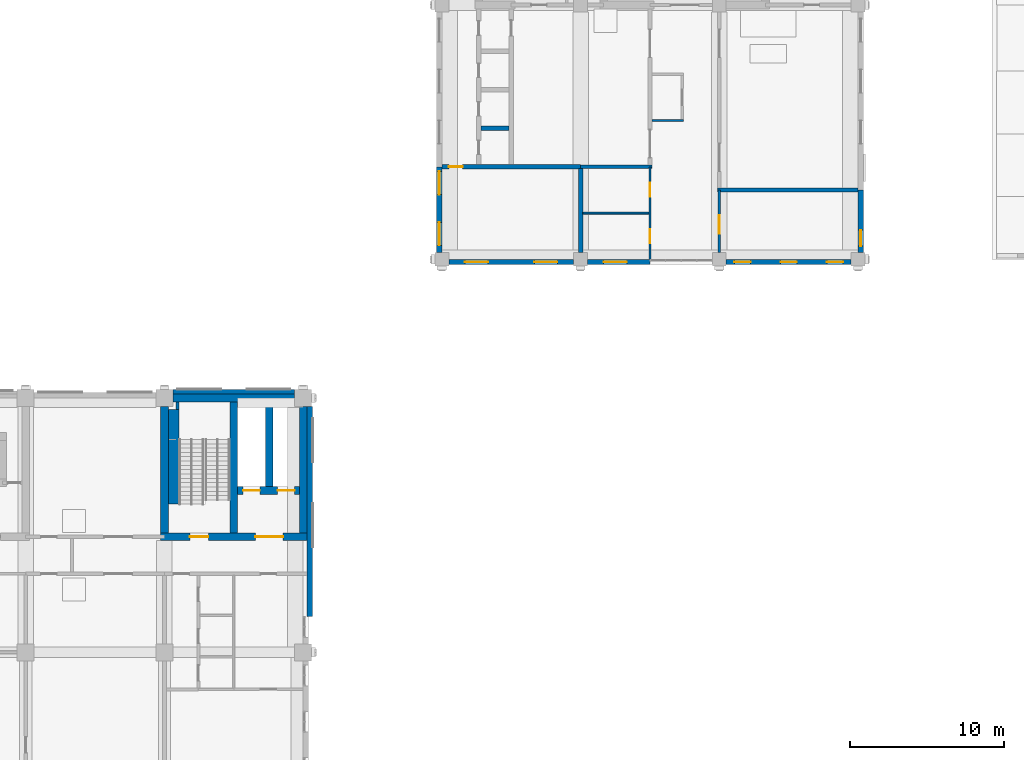
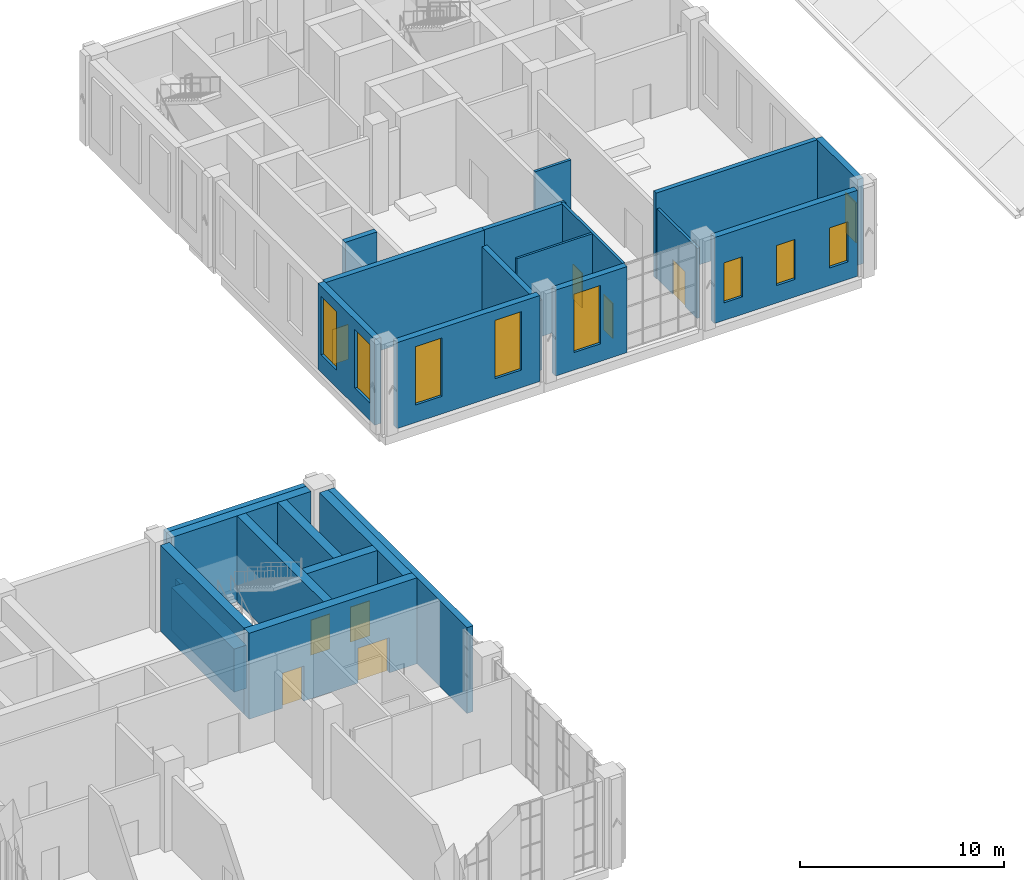
# One storey, part 15 of 25: 25 walls, 9 windows, 8 doors, 17 openings.
"""IFC4 building model written with IfcOpenShell, lengths in metres."""

from ifc_helpers import new_model, si_unit, direction, frame, frame_2d, origin, place, context, subcontext, project, spatial, rectangle, extrude, material, layer, layer_set, type_object, element, fill, save


model = new_model("IFC4")

# Units and contexts
model_context = context("Model", 3, precision=1e-05, world=origin(), true_north=direction((0.0, 1.0)))
body_context = subcontext(model_context, "Body", "Model", "MODEL_VIEW")
ifc_project = project(units=[si_unit("LENGTHUNIT", "METRE"), si_unit("AREAUNIT", "SQUARE_METRE"), si_unit("VOLUMEUNIT", "CUBIC_METRE"), si_unit("PLANEANGLEUNIT", "RADIAN"), si_unit("MASSUNIT", "GRAM", prefix="KILO")], contexts=[model_context])

# Site, building, storey
site_placement = place(None, origin())
site = spatial("IfcSite", under=ifc_project, at=site_placement, CompositionType="ELEMENT")
building_placement = place(site_placement, origin())
building = spatial("IfcBuilding", under=site, at=building_placement, Name="Aurelan Courthouse", CompositionType="ELEMENT")
storey_placement = place(building_placement, frame((0.0, 0.0, 33.60009765625)))
storey = spatial("IfcBuildingStorey", under=building, at=storey_placement, Name="L06", CompositionType="ELEMENT", Elevation=33.60009765625)

# Wall
ifc_material_1 = material(Name="Gypsum board on metal studs")
ifc_layer_1 = layer(ifc_material_1, 0.14990234375)
ifc_layer_set_1 = layer_set([ifc_layer_1], Name="Gypsum board on metal studs")
wall_type_1 = type_object("IfcWallType", Name="Corridor partition 150 EI 60", PredefinedType="PARTITIONING", material=ifc_layer_set_1)
wall_1_placement = place(storey_placement, frame((49.625, 46.5, 0.0), z_axis=(0.0, 0.0, 1.0), x_axis=(1.0, 0.0, 0.0)))
element("IfcWall", 1, at=wall_1_placement, inside=storey, type_object=wall_type_1, Name="Corridor partition L06-017", PredefinedType="PARTITIONING", context=body_context, shape_type="SweptSolid", body=[
    extrude(rectangle(XDim=2.050048828125, YDim=0.14990234375, at=frame_2d((1.02490234375, 0.0))), origin(), (0.0, 0.0, 1.0), 5.14990234375),
])

# Wall, openings, doors
wall_2_placement = place(storey_placement, frame((49.5, 37.5, 0.0), z_axis=(0.0, 0.0, 1.0), x_axis=(0.0, 1.0, 0.0)))
wall_2 = element("IfcWall", 2, at=wall_2_placement, inside=storey, type_object=wall_type_1, Name="Corridor partition L06-044", PredefinedType="PARTITIONING", context=body_context, shape_type="SweptSolid", body=[
    extrude(rectangle(XDim=6.0, YDim=0.14990234375, at=frame_2d((3.0, 0.0))), origin(), (0.0, 0.0, 1.0), 5.14990234375),
])
opening_1_placement = place(wall_2_placement, frame((1.050048828125, 0.0, 0.0)))
opening_1 = element("IfcOpeningElement", 3, at=opening_1_placement, cuts=wall_2, Name="Opening D-L06-022", PredefinedType="OPENING", context=body_context, shape_type="SweptSolid", body=[
    extrude(rectangle(XDim=0.89990234375, YDim=2.10009765625, at=frame_2d((0.449951171875, 1.050048828125))), frame((0.0, 0.0849609375, 0.0), z_axis=(0.0, -1.0, 0.0), x_axis=(1.0, 0.0, 0.0)), (0.0, 0.0, 1.0), 0.169921875),
])
opening_2_placement = place(wall_2_placement, frame((4.050048828125, 0.0, 0.0)))
opening_2 = element("IfcOpeningElement", 4, at=opening_2_placement, cuts=wall_2, Name="Opening D-L06-023", PredefinedType="OPENING", context=body_context, shape_type="SweptSolid", body=[
    extrude(rectangle(XDim=0.89990234375, YDim=2.10009765625, at=frame_2d((0.449951171875, 1.050048828125))), frame((0.0, 0.0849609375, 0.0), z_axis=(0.0, -1.0, 0.0), x_axis=(1.0, 0.0, 0.0)), (0.0, 0.0, 1.0), 0.169921875),
])
ifc_material_2 = material(Name="Steel", Category="steel")
door_type_1 = type_object("IfcDoorType", Name="Single door 900 x 2100 FD60", OperationType="SINGLE_SWING_LEFT", PredefinedType="DOOR", material=ifc_material_2)
door_1_placement = place(opening_1_placement, origin())
door_1 = element("IfcDoor", 5, at=door_1_placement, inside=storey, type_object=door_type_1, Name="Single door D-L06-022", OperationType="SINGLE_SWING_RIGHT", OverallHeight=2.10009765625, OverallWidth=0.89990234375, PredefinedType="DOOR", context=body_context, shape_type="SweptSolid", body=[
    extrude(rectangle(XDim=0.89990234375, YDim=2.10009765625, at=frame_2d((0.449951171875, 1.050048828125))), frame((0.0, 0.02490234375, 0.0), z_axis=(0.0, -1.0, 0.0), x_axis=(1.0, 0.0, 0.0)), (0.0, 0.0, 1.0), 0.050048828125),
])
fill(opening_1, door_1)
door_2_placement = place(opening_2_placement, origin())
door_2 = element("IfcDoor", 6, at=door_2_placement, inside=storey, type_object=door_type_1, Name="Single door D-L06-023", OperationType="SINGLE_SWING_RIGHT", OverallHeight=2.10009765625, OverallWidth=0.89990234375, PredefinedType="DOOR", context=body_context, shape_type="SweptSolid", body=[
    extrude(rectangle(XDim=0.89990234375, YDim=2.10009765625, at=frame_2d((0.449951171875, 1.050048828125))), frame((0.0, 0.02490234375, 0.0), z_axis=(0.0, -1.0, 0.0), x_axis=(1.0, 0.0, 0.0)), (0.0, 0.0, 1.0), 0.050048828125),
])
fill(opening_2, door_2)

# Wall, opening, door
wall_3_placement = place(storey_placement, frame((54.0, 37.949951171875, 0.0), z_axis=(0.0, 0.0, 1.0), x_axis=(0.0, 1.0, 0.0)))
wall_3 = element("IfcWall", 7, at=wall_3_placement, inside=storey, type_object=wall_type_1, Name="Corridor partition L06-047", PredefinedType="PARTITIONING", context=body_context, shape_type="SweptSolid", body=[
    extrude(rectangle(XDim=4.050048828125, YDim=0.14990234375, at=frame_2d((2.02490234375, 0.0))), origin(), (0.0, 0.0, 1.0), 4.199951171875),
])
opening_3_placement = place(wall_3_placement, frame((2.39990234375, 0.0, 0.0), z_axis=(0.0, 0.0, 1.0), x_axis=(-1.0, 0.0, 0.0)))
opening_3 = element("IfcOpeningElement", 8, at=opening_3_placement, cuts=wall_3, Name="Opening D-L06-024", PredefinedType="OPENING", context=body_context, shape_type="SweptSolid", body=[
    extrude(rectangle(XDim=1.199951171875, YDim=2.10009765625, at=frame_2d((0.60009765625, 1.050048828125))), frame((0.0, 0.0849609375, 0.0), z_axis=(0.0, -1.0, 0.0), x_axis=(1.0, 0.0, 0.0)), (0.0, 0.0, 1.0), 0.169921875),
])
door_type_2 = type_object("IfcDoorType", Name="Single door 1200 x 2100 FD60", OperationType="SINGLE_SWING_LEFT", PredefinedType="DOOR", material=ifc_material_2)
door_3_placement = place(opening_3_placement, origin())
door_3 = element("IfcDoor", 9, at=door_3_placement, inside=storey, type_object=door_type_2, Name="Single door D-L06-024", OperationType="SINGLE_SWING_LEFT", OverallHeight=2.10009765625, OverallWidth=1.199951171875, PredefinedType="DOOR", context=body_context, shape_type="SweptSolid", body=[
    extrude(rectangle(XDim=1.199951171875, YDim=2.10009765625, at=frame_2d((0.60009765625, 1.050048828125))), frame((0.0, 0.02490234375, 0.0), z_axis=(0.0, -1.0, 0.0), x_axis=(1.0, 0.0, 0.0)), (0.0, 0.0, 1.0), 0.050048828125),
])
fill(opening_3, door_3)

# Wall, openings, windows
ifc_material_3 = material(Name="Limestone cladding", Category="masonry")
ifc_layer_2 = layer(ifc_material_3, 0.10009765625, Name="Facing")
ifc_material_4 = material(Name="Ventilated cavity")
ifc_layer_3 = layer(ifc_material_4, 0.02490234375, ventilated=True, Name="Ventilated cavity")
ifc_material_5 = material(Name="Mineral wool insulation")
ifc_layer_4 = layer(ifc_material_5, 0.050048828125, Name="Insulation")
ifc_material_6 = material(Name="Concrete C30", Category="concrete")
ifc_layer_5 = layer(ifc_material_6, 0.175048828125, Name="Structure")
ifc_layer_set_2 = layer_set([ifc_layer_2, ifc_layer_3, ifc_layer_4, ifc_layer_5], Name="Concrete C30")
wall_type_2 = type_object("IfcWallType", Name="Courtroom Block stone-faced wall 350", PredefinedType="SOLIDWALL", material=ifc_layer_set_2)
wall_4_placement = place(storey_placement, frame((36.449951171875, 37.324951171875, 0.0), z_axis=(0.0, 0.0, 1.0), x_axis=(1.0, 0.0, 0.0)))
wall_4 = element("IfcWall", 10, at=wall_4_placement, inside=storey, type_object=wall_type_2, Name="Facade wall FW-V2-L06-001", PredefinedType="SOLIDWALL", context=body_context, shape_type="SweptSolid", body=[
    extrude(rectangle(XDim=8.10009765625, YDim=0.35009765625, at=frame_2d((4.050048828125, 0.0))), origin(), (0.0, 0.0, 1.0), 5.14990234375),
])
opening_4_placement = place(wall_4_placement, frame((1.050048828125, 0.0, 1.050048828125)))
opening_4 = element("IfcOpeningElement", 11, at=opening_4_placement, cuts=wall_4, Name="Opening WN-V2-L06-001", PredefinedType="OPENING", context=body_context, shape_type="SweptSolid", body=[
    extrude(rectangle(XDim=1.5, YDim=3.5, at=frame_2d((0.75, 1.75))), frame((0.0, 0.18505859375, 0.0), z_axis=(0.0, -1.0, 0.0), x_axis=(1.0, 0.0, 0.0)), (0.0, 0.0, 1.0), 0.3701171875),
])
opening_5_placement = place(wall_4_placement, frame((5.550048828125, 0.0, 1.050048828125)))
opening_5 = element("IfcOpeningElement", 12, at=opening_5_placement, cuts=wall_4, Name="Opening WN-V2-L06-002", PredefinedType="OPENING", context=body_context, shape_type="SweptSolid", body=[
    extrude(rectangle(XDim=1.5, YDim=3.5, at=frame_2d((0.75, 1.75))), frame((0.0, 0.18505859375, 0.0), z_axis=(0.0, -1.0, 0.0), x_axis=(1.0, 0.0, 0.0)), (0.0, 0.0, 1.0), 0.3701171875),
])
ifc_material_7 = material(Name="Bronze-finished aluminium and glass", Category="aluminium")
window_type_1 = type_object("IfcWindowType", Name="Courtroom Block glazed slot 1500 x 3500, sill 1050", PartitioningType="SINGLE_PANEL", PredefinedType="WINDOW", material=ifc_material_7)
window_1_placement = place(opening_4_placement, origin())
window_1 = element("IfcWindow", 13, at=window_1_placement, inside=storey, type_object=window_type_1, Name="Glazed slot WN-V2-L06-001", OverallHeight=3.5, OverallWidth=1.5, PartitioningType="SINGLE_PANEL", PredefinedType="WINDOW", context=body_context, shape_type="SweptSolid", body=[
    extrude(rectangle(XDim=1.5, YDim=3.5, at=frame_2d((0.75, 1.75))), frame((0.0, 0.030029296875, 0.0), z_axis=(0.0, -1.0, 0.0), x_axis=(1.0, 0.0, 0.0)), (0.0, 0.0, 1.0), 0.06005859375),
])
fill(opening_4, window_1)
window_2_placement = place(opening_5_placement, origin())
window_2 = element("IfcWindow", 14, at=window_2_placement, inside=storey, type_object=window_type_1, Name="Glazed slot WN-V2-L06-002", OverallHeight=3.5, OverallWidth=1.5, PartitioningType="SINGLE_PANEL", PredefinedType="WINDOW", context=body_context, shape_type="SweptSolid", body=[
    extrude(rectangle(XDim=1.5, YDim=3.5, at=frame_2d((0.75, 1.75))), frame((0.0, 0.030029296875, 0.0), z_axis=(0.0, -1.0, 0.0), x_axis=(1.0, 0.0, 0.0)), (0.0, 0.0, 1.0), 0.06005859375),
])
fill(opening_5, window_2)

# Wall, opening, window
wall_5_placement = place(storey_placement, frame((45.449951171875, 37.324951171875, 0.0), z_axis=(0.0, 0.0, 1.0), x_axis=(1.0, 0.0, 0.0)))
wall_5 = element("IfcWall", 15, at=wall_5_placement, inside=storey, type_object=wall_type_2, Name="Facade wall FW-V2-L06-002", PredefinedType="SOLIDWALL", context=body_context, shape_type="SweptSolid", body=[
    extrude(rectangle(XDim=4.050048828125, YDim=0.35009765625, at=frame_2d((2.02490234375, 0.0))), origin(), (0.0, 0.0, 1.0), 5.14990234375),
])
opening_6_placement = place(wall_5_placement, frame((1.050048828125, 0.0, 1.050048828125)))
opening_6 = element("IfcOpeningElement", 16, at=opening_6_placement, cuts=wall_5, Name="Opening WN-V2-L06-003", PredefinedType="OPENING", context=body_context, shape_type="SweptSolid", body=[
    extrude(rectangle(XDim=1.5, YDim=3.5, at=frame_2d((0.75, 1.75))), frame((0.0, 0.18505859375, 0.0), z_axis=(0.0, -1.0, 0.0), x_axis=(1.0, 0.0, 0.0)), (0.0, 0.0, 1.0), 0.3701171875),
])
window_3_placement = place(opening_6_placement, origin())
window_3 = element("IfcWindow", 17, at=window_3_placement, inside=storey, type_object=window_type_1, Name="Glazed slot WN-V2-L06-003", OverallHeight=3.5, OverallWidth=1.5, PartitioningType="SINGLE_PANEL", PredefinedType="WINDOW", context=body_context, shape_type="SweptSolid", body=[
    extrude(rectangle(XDim=1.5, YDim=3.5, at=frame_2d((0.75, 1.75))), frame((0.0, 0.030029296875, 0.0), z_axis=(0.0, -1.0, 0.0), x_axis=(1.0, 0.0, 0.0)), (0.0, 0.0, 1.0), 0.06005859375),
])
fill(opening_6, window_3)

# Wall, openings, windows
wall_6_placement = place(storey_placement, frame((54.449951171875, 37.324951171875, 0.0), z_axis=(0.0, 0.0, 1.0), x_axis=(1.0, 0.0, 0.0)))
wall_6 = element("IfcWall", 18, at=wall_6_placement, inside=storey, type_object=wall_type_2, Name="Facade wall FW-V2-L06-003", PredefinedType="SOLIDWALL", context=body_context, shape_type="SweptSolid", body=[
    extrude(rectangle(XDim=8.10009765625, YDim=0.35009765625, at=frame_2d((4.050048828125, 0.0))), origin(), (0.0, 0.0, 1.0), 5.14990234375),
])
opening_7_placement = place(wall_6_placement, frame((0.52490234375, 0.0, 1.050048828125)))
opening_7 = element("IfcOpeningElement", 19, at=opening_7_placement, cuts=wall_6, Name="Opening WN-V2-L06-004", PredefinedType="OPENING", context=body_context, shape_type="SweptSolid", body=[
    extrude(rectangle(XDim=1.050048828125, YDim=2.39990234375, at=frame_2d((0.52490234375, 1.199951171875))), frame((0.0, 0.18505859375, 0.0), z_axis=(0.0, -1.0, 0.0), x_axis=(1.0, 0.0, 0.0)), (0.0, 0.0, 1.0), 0.3701171875),
])
opening_8_placement = place(wall_6_placement, frame((3.52490234375, 0.0, 1.050048828125)))
opening_8 = element("IfcOpeningElement", 20, at=opening_8_placement, cuts=wall_6, Name="Opening WN-V2-L06-005", PredefinedType="OPENING", context=body_context, shape_type="SweptSolid", body=[
    extrude(rectangle(XDim=1.050048828125, YDim=2.39990234375, at=frame_2d((0.52490234375, 1.199951171875))), frame((0.0, 0.18505859375, 0.0), z_axis=(0.0, -1.0, 0.0), x_axis=(1.0, 0.0, 0.0)), (0.0, 0.0, 1.0), 0.3701171875),
])
opening_9_placement = place(wall_6_placement, frame((6.52490234375, 0.0, 1.050048828125)))
opening_9 = element("IfcOpeningElement", 21, at=opening_9_placement, cuts=wall_6, Name="Opening WN-V2-L06-006", PredefinedType="OPENING", context=body_context, shape_type="SweptSolid", body=[
    extrude(rectangle(XDim=1.050048828125, YDim=2.39990234375, at=frame_2d((0.52490234375, 1.199951171875))), frame((0.0, 0.18505859375, 0.0), z_axis=(0.0, -1.0, 0.0), x_axis=(1.0, 0.0, 0.0)), (0.0, 0.0, 1.0), 0.3701171875),
])
window_type_2 = type_object("IfcWindowType", Name="Courtroom Block window 1050 x 2400, sill 1050", PartitioningType="SINGLE_PANEL", PredefinedType="WINDOW", material=ifc_material_7)
window_4_placement = place(opening_7_placement, origin())
window_4 = element("IfcWindow", 22, at=window_4_placement, inside=storey, type_object=window_type_2, Name="Window WN-V2-L06-004", OverallHeight=2.39990234375, OverallWidth=1.050048828125, PartitioningType="SINGLE_PANEL", PredefinedType="WINDOW", context=body_context, shape_type="SweptSolid", body=[
    extrude(rectangle(XDim=1.050048828125, YDim=2.39990234375, at=frame_2d((0.52490234375, 1.199951171875))), frame((0.0, 0.030029296875, 0.0), z_axis=(0.0, -1.0, 0.0), x_axis=(1.0, 0.0, 0.0)), (0.0, 0.0, 1.0), 0.06005859375),
])
fill(opening_7, window_4)
window_5_placement = place(opening_8_placement, origin())
window_5 = element("IfcWindow", 23, at=window_5_placement, inside=storey, type_object=window_type_2, Name="Window WN-V2-L06-005", OverallHeight=2.39990234375, OverallWidth=1.050048828125, PartitioningType="SINGLE_PANEL", PredefinedType="WINDOW", context=body_context, shape_type="SweptSolid", body=[
    extrude(rectangle(XDim=1.050048828125, YDim=2.39990234375, at=frame_2d((0.52490234375, 1.199951171875))), frame((0.0, 0.030029296875, 0.0), z_axis=(0.0, -1.0, 0.0), x_axis=(1.0, 0.0, 0.0)), (0.0, 0.0, 1.0), 0.06005859375),
])
fill(opening_8, window_5)
window_6_placement = place(opening_9_placement, origin())
window_6 = element("IfcWindow", 24, at=window_6_placement, inside=storey, type_object=window_type_2, Name="Window WN-V2-L06-006", OverallHeight=2.39990234375, OverallWidth=1.050048828125, PartitioningType="SINGLE_PANEL", PredefinedType="WINDOW", context=body_context, shape_type="SweptSolid", body=[
    extrude(rectangle(XDim=1.050048828125, YDim=2.39990234375, at=frame_2d((0.52490234375, 1.199951171875))), frame((0.0, 0.030029296875, 0.0), z_axis=(0.0, -1.0, 0.0), x_axis=(1.0, 0.0, 0.0)), (0.0, 0.0, 1.0), 0.06005859375),
])
fill(opening_9, window_6)

# Wall, opening, window
wall_7_placement = place(storey_placement, frame((63.175048828125, 37.949951171875, 0.0), z_axis=(0.0, 0.0, 1.0), x_axis=(0.0, 1.0, 0.0)))
wall_7 = element("IfcWall", 25, at=wall_7_placement, inside=storey, type_object=wall_type_2, Name="Facade wall FW-V2-L06-007", PredefinedType="SOLIDWALL", context=body_context, shape_type="SweptSolid", body=[
    extrude(rectangle(XDim=4.050048828125, YDim=0.35009765625, at=frame_2d((2.02490234375, 0.0))), origin(), (0.0, 0.0, 1.0), 5.14990234375),
])
opening_10_placement = place(wall_7_placement, frame((0.39990234375, 0.0, 1.050048828125)))
opening_10 = element("IfcOpeningElement", 26, at=opening_10_placement, cuts=wall_7, Name="Opening WN-V2-L06-009", PredefinedType="OPENING", context=body_context, shape_type="SweptSolid", body=[
    extrude(rectangle(XDim=1.050048828125, YDim=2.39990234375, at=frame_2d((0.52490234375, 1.199951171875))), frame((0.0, 0.18505859375, 0.0), z_axis=(0.0, -1.0, 0.0), x_axis=(1.0, 0.0, 0.0)), (0.0, 0.0, 1.0), 0.3701171875),
])
window_7_placement = place(opening_10_placement, origin())
window_7 = element("IfcWindow", 27, at=window_7_placement, inside=storey, type_object=window_type_2, Name="Window WN-V2-L06-009", OverallHeight=2.39990234375, OverallWidth=1.050048828125, PartitioningType="SINGLE_PANEL", PredefinedType="WINDOW", context=body_context, shape_type="SweptSolid", body=[
    extrude(rectangle(XDim=1.050048828125, YDim=2.39990234375, at=frame_2d((0.52490234375, 1.199951171875))), frame((0.0, 0.030029296875, 0.0), z_axis=(0.0, -1.0, 0.0), x_axis=(1.0, 0.0, 0.0)), (0.0, 0.0, 1.0), 0.06005859375),
])
fill(opening_10, window_7)

# Wall, openings, windows
wall_8_placement = place(storey_placement, frame((35.824951171875, 37.949951171875, 0.0), z_axis=(0.0, 0.0, 1.0), x_axis=(0.0, 1.0, 0.0)))
wall_8 = element("IfcWall", 28, at=wall_8_placement, inside=storey, type_object=wall_type_2, Name="Facade wall FW-V2-L06-011", PredefinedType="SOLIDWALL", context=body_context, shape_type="SweptSolid", body=[
    extrude(rectangle(XDim=5.550048828125, YDim=0.35009765625, at=frame_2d((2.77490234375, 0.0))), origin(), (0.0, 0.0, 1.0), 5.14990234375),
])
opening_11_placement = place(wall_8_placement, frame((0.449951171875, 0.0, 1.050048828125)))
opening_11 = element("IfcOpeningElement", 29, at=opening_11_placement, cuts=wall_8, Name="Opening WN-V2-L06-014", PredefinedType="OPENING", context=body_context, shape_type="SweptSolid", body=[
    extrude(rectangle(XDim=1.5, YDim=3.5, at=frame_2d((0.75, 1.75))), frame((0.0, 0.18505859375, 0.0), z_axis=(0.0, -1.0, 0.0), x_axis=(1.0, 0.0, 0.0)), (0.0, 0.0, 1.0), 0.3701171875),
])
opening_12_placement = place(wall_8_placement, frame((3.75, 0.0, 1.050048828125)))
opening_12 = element("IfcOpeningElement", 30, at=opening_12_placement, cuts=wall_8, Name="Opening WN-V2-L06-015", PredefinedType="OPENING", context=body_context, shape_type="SweptSolid", body=[
    extrude(rectangle(XDim=1.5, YDim=3.5, at=frame_2d((0.75, 1.75))), frame((0.0, 0.18505859375, 0.0), z_axis=(0.0, -1.0, 0.0), x_axis=(1.0, 0.0, 0.0)), (0.0, 0.0, 1.0), 0.3701171875),
])
window_8_placement = place(opening_11_placement, origin())
window_8 = element("IfcWindow", 31, at=window_8_placement, inside=storey, type_object=window_type_1, Name="Glazed slot WN-V2-L06-014", OverallHeight=3.5, OverallWidth=1.5, PartitioningType="SINGLE_PANEL", PredefinedType="WINDOW", context=body_context, shape_type="SweptSolid", body=[
    extrude(rectangle(XDim=1.5, YDim=3.5, at=frame_2d((0.75, 1.75))), frame((0.0, 0.030029296875, 0.0), z_axis=(0.0, -1.0, 0.0), x_axis=(1.0, 0.0, 0.0)), (0.0, 0.0, 1.0), 0.06005859375),
])
fill(opening_11, window_8)
window_9_placement = place(opening_12_placement, origin())
window_9 = element("IfcWindow", 32, at=window_9_placement, inside=storey, type_object=window_type_1, Name="Glazed slot WN-V2-L06-015", OverallHeight=3.5, OverallWidth=1.5, PartitioningType="SINGLE_PANEL", PredefinedType="WINDOW", context=body_context, shape_type="SweptSolid", body=[
    extrude(rectangle(XDim=1.5, YDim=3.5, at=frame_2d((0.75, 1.75))), frame((0.0, 0.030029296875, 0.0), z_axis=(0.0, -1.0, 0.0), x_axis=(1.0, 0.0, 0.0)), (0.0, 0.0, 1.0), 0.06005859375),
])
fill(opening_12, window_9)

# Walls
ifc_material_8 = material(Name="Masonry block", Category="masonry")
ifc_layer_6 = layer(ifc_material_8, 0.25)
ifc_layer_set_3 = layer_set([ifc_layer_6], Name="Masonry block")
wall_type_3 = type_object("IfcWallType", Name="Courtroom wall 250 EI 60", PredefinedType="PARTITIONING", material=ifc_layer_set_3)
wall_9_placement = place(storey_placement, frame((53.875, 42.0, 0.0), z_axis=(0.0, 0.0, 1.0), x_axis=(1.0, 0.0, 0.0)))
element("IfcWall", 33, at=wall_9_placement, inside=storey, type_object=wall_type_3, Name="Courtroom wall L06-013", PredefinedType="PARTITIONING", context=body_context, shape_type="SweptSolid", body=[
    extrude(rectangle(XDim=9.125, YDim=0.25, at=frame_2d((4.5625, 0.0))), origin(), (0.0, 0.0, 1.0), 5.14990234375),
])
wall_10_placement = place(storey_placement, frame((45.0, 43.5, 0.0), z_axis=(0.0, 0.0, 1.0), x_axis=(1.0, 0.0, 0.0)))
element("IfcWall", 34, at=wall_10_placement, inside=storey, type_object=wall_type_3, Name="Courtroom wall L06-015", PredefinedType="PARTITIONING", context=body_context, shape_type="SweptSolid", body=[
    extrude(rectangle(XDim=4.625, YDim=0.25, at=frame_2d((2.3125, 0.0))), origin(), (0.0, 0.0, 1.0), 5.14990234375),
])
ifc_layer_7 = layer(ifc_material_3, 0.0849609375, Name="Facing")
ifc_layer_8 = layer(ifc_material_4, 0.02490234375, ventilated=True, Name="Ventilated cavity")
ifc_layer_9 = layer(ifc_material_5, 0.044921875, Name="Insulation")
ifc_layer_10 = layer(ifc_material_6, 0.14501953125, Name="Structure")
ifc_layer_set_4 = layer_set([ifc_layer_7, ifc_layer_8, ifc_layer_9, ifc_layer_10], Name="Concrete C30")
wall_type_4 = type_object("IfcWallType", Name="Courts' Floors stone-faced wall 300", PredefinedType="SOLIDWALL", material=ifc_layer_set_4)
wall_11_placement = place(storey_placement, frame((18.550048828125, 28.89990234375, 0.0), z_axis=(0.0, 0.0, 1.0), x_axis=(1.0, 0.0, 0.0)))
element("IfcWall", 35, at=wall_11_placement, inside=storey, type_object=wall_type_4, Name="Facade wall FW-V5-L06-011", PredefinedType="SOLIDWALL", context=body_context, shape_type="SweptSolid", body=[
    extrude(rectangle(XDim=7.89990234375, YDim=0.300048828125, at=frame_2d((3.949951171875, 0.0))), origin(), (0.0, 0.0, 1.0), 5.14990234375),
])
ifc_layer_11 = layer(ifc_material_3, 0.10009765625, Name="Facing")
ifc_layer_12 = layer(ifc_material_4, 0.02490234375, ventilated=True, Name="Ventilated cavity")
ifc_layer_13 = layer(ifc_material_5, 0.050048828125, Name="Insulation")
ifc_layer_14 = layer(ifc_material_6, 0.175048828125, Name="Structure")
ifc_layer_set_5 = layer_set([ifc_layer_11, ifc_layer_12, ifc_layer_13, ifc_layer_14], Name="Concrete C30")
wall_type_5 = type_object("IfcWallType", Name="Courts' Floors stone-faced wall 350", PredefinedType="SOLIDWALL", material=ifc_layer_set_5)
wall_12_placement = place(storey_placement, frame((27.425048828125, 14.324951171875, 0.0), z_axis=(0.0, 0.0, 1.0), x_axis=(0.0, 1.0, 0.0)))
element("IfcWall", 36, at=wall_12_placement, inside=storey, type_object=wall_type_5, Name="Facade wall FW-V5-L06-018", PredefinedType="SOLIDWALL", context=body_context, shape_type="SweptSolid", body=[
    extrude(rectangle(XDim=13.625, YDim=0.35009765625, at=frame_2d((6.8125, 0.0))), origin(), (0.0, 0.0, 1.0), 5.14990234375),
])

# Wall, opening, door
ifc_layer_15 = layer(ifc_material_6, 0.300048828125)
ifc_layer_set_6 = layer_set([ifc_layer_15], Name="Concrete C30")
wall_type_6 = type_object("IfcWallType", Name="Custody wall 300 EI 120", PredefinedType="PARTITIONING", material=ifc_layer_set_6)
wall_13_placement = place(storey_placement, frame((36.0, 43.5, 0.0), z_axis=(0.0, 0.0, 1.0), x_axis=(1.0, 0.0, 0.0)))
wall_13 = element("IfcWall", 37, at=wall_13_placement, inside=storey, type_object=wall_type_6, Name="Custody wall L06-014", PredefinedType="PARTITIONING", context=body_context, shape_type="SweptSolid", body=[
    extrude(rectangle(XDim=9.0, YDim=0.300048828125, at=frame_2d((4.5, 0.0))), origin(), (0.0, 0.0, 1.0), 5.14990234375),
])
opening_13_placement = place(wall_13_placement, frame((1.349853515625, 0.0, 0.0), z_axis=(0.0, 0.0, 1.0), x_axis=(-1.0, 0.0, 0.0)))
opening_13 = element("IfcOpeningElement", 38, at=opening_13_placement, cuts=wall_13, Name="Opening D-L06-016", PredefinedType="OPENING", context=body_context, shape_type="SweptSolid", body=[
    extrude(rectangle(XDim=0.89990234375, YDim=2.10009765625, at=frame_2d((0.449951171875, 1.050048828125))), frame((0.0, 0.159912109375, 0.0), z_axis=(0.0, -1.0, 0.0), x_axis=(1.0, 0.0, 0.0)), (0.0, 0.0, 1.0), 0.320068359375),
])
door_type_3 = type_object("IfcDoorType", Name="Single door 900 x 2100 FD90", OperationType="SINGLE_SWING_LEFT", PredefinedType="DOOR", material=ifc_material_2)
door_4_placement = place(opening_13_placement, origin())
door_4 = element("IfcDoor", 39, at=door_4_placement, inside=storey, type_object=door_type_3, Name="Single door D-L06-016", OperationType="SINGLE_SWING_RIGHT", OverallHeight=2.10009765625, OverallWidth=0.89990234375, PredefinedType="DOOR", context=body_context, shape_type="SweptSolid", body=[
    extrude(rectangle(XDim=0.89990234375, YDim=2.10009765625, at=frame_2d((0.449951171875, 1.050048828125))), frame((0.0, 0.02490234375, 0.0), z_axis=(0.0, -1.0, 0.0), x_axis=(1.0, 0.0, 0.0)), (0.0, 0.0, 1.0), 0.050048828125),
])
fill(opening_13, door_4)

# Walls
wall_14_placement = place(storey_placement, frame((38.550048828125, 46.0, 0.0), z_axis=(0.0, 0.0, 1.0), x_axis=(1.0, 0.0, 0.0)))
element("IfcWall", 40, at=wall_14_placement, inside=storey, type_object=wall_type_6, Name="Custody wall L06-016", PredefinedType="PARTITIONING", context=body_context, shape_type="SweptSolid", body=[
    extrude(rectangle(XDim=1.800048828125, YDim=0.300048828125, at=frame_2d((0.89990234375, 0.0))), origin(), (0.0, 0.0, 1.0), 5.14990234375),
])
wall_15_placement = place(storey_placement, frame((45.0, 37.949951171875, 0.0), z_axis=(0.0, 0.0, 1.0), x_axis=(0.0, 1.0, 0.0)))
element("IfcWall", 41, at=wall_15_placement, inside=storey, type_object=wall_type_6, Name="Custody wall L06-042", PredefinedType="PARTITIONING", context=body_context, shape_type="SweptSolid", body=[
    extrude(rectangle(XDim=5.425048828125, YDim=0.300048828125, at=frame_2d((2.71240234375, 0.0))), origin(), (0.0, 0.0, 1.0), 4.199951171875),
])

# Wall, openings, doors
ifc_material_9 = material(Name="Concrete C50", Category="concrete")
ifc_layer_16 = layer(ifc_material_9, 0.5)
ifc_layer_set_7 = layer_set([ifc_layer_16], Name="Concrete C50")
wall_type_7 = type_object("IfcWallType", Name="RC shear wall 500", PredefinedType="SHEAR", material=ifc_layer_set_7)
wall_16_placement = place(storey_placement, frame((17.75, 19.5, 0.0), z_axis=(0.0, 0.0, 1.0), x_axis=(1.0, 0.0, 0.0)))
wall_16 = element("IfcWall", 42, at=wall_16_placement, inside=storey, type_object=wall_type_7, Name="Core wall SW-L06-002", PredefinedType="SHEAR", context=body_context, shape_type="SweptSolid", body=[
    extrude(rectangle(XDim=9.5, YDim=0.5, at=frame_2d((4.75, 0.0))), origin(), (0.0, 0.0, 1.0), 5.14990234375),
])
opening_14_placement = place(wall_16_placement, frame((1.89990234375, 0.0, 0.0)))
opening_14 = element("IfcOpeningElement", 43, at=opening_14_placement, cuts=wall_16, Name="Opening D-L06-040", PredefinedType="OPENING", context=body_context, shape_type="SweptSolid", body=[
    extrude(rectangle(XDim=1.199951171875, YDim=2.10009765625, at=frame_2d((0.60009765625, 1.050048828125))), frame((0.0, 0.260009765625, 0.0), z_axis=(0.0, -1.0, 0.0), x_axis=(1.0, 0.0, 0.0)), (0.0, 0.0, 1.0), 0.52001953125),
])
opening_15_placement = place(wall_16_placement, frame((7.949951171875, 0.0, 0.0), z_axis=(0.0, 0.0, 1.0), x_axis=(-1.0, 0.0, 0.0)))
opening_15 = element("IfcOpeningElement", 44, at=opening_15_placement, cuts=wall_16, Name="Opening D-L06-041", PredefinedType="OPENING", context=body_context, shape_type="SweptSolid", body=[
    extrude(rectangle(XDim=1.800048828125, YDim=2.10009765625, at=frame_2d((0.89990234375, 1.050048828125))), frame((0.0, 0.260009765625, 0.0), z_axis=(0.0, -1.0, 0.0), x_axis=(1.0, 0.0, 0.0)), (0.0, 0.0, 1.0), 0.52001953125),
])
door_type_4 = type_object("IfcDoorType", Name="Double door 1800 x 2100 FD90", OperationType="DOUBLE_DOOR_SINGLE_SWING", PredefinedType="DOOR", material=ifc_material_2)
door_5_placement = place(opening_15_placement, origin())
door_5 = element("IfcDoor", 45, at=door_5_placement, inside=storey, type_object=door_type_4, Name="Double door D-L06-041", OperationType="DOUBLE_DOOR_SINGLE_SWING", OverallHeight=2.10009765625, OverallWidth=1.800048828125, PredefinedType="DOOR", context=body_context, shape_type="SweptSolid", body=[
    extrude(rectangle(XDim=1.800048828125, YDim=2.10009765625, at=frame_2d((0.89990234375, 1.050048828125))), frame((0.0, 0.02490234375, 0.0), z_axis=(0.0, -1.0, 0.0), x_axis=(1.0, 0.0, 0.0)), (0.0, 0.0, 1.0), 0.050048828125),
])
fill(opening_15, door_5)
door_type_5 = type_object("IfcDoorType", Name="Single door 1200 x 2100 FD90", OperationType="SINGLE_SWING_LEFT", PredefinedType="DOOR", material=ifc_material_2)
door_6_placement = place(opening_14_placement, origin())
door_6 = element("IfcDoor", 46, at=door_6_placement, inside=storey, type_object=door_type_5, Name="Single door D-L06-040", OperationType="SINGLE_SWING_LEFT", OverallHeight=2.10009765625, OverallWidth=1.199951171875, PredefinedType="DOOR", context=body_context, shape_type="SweptSolid", body=[
    extrude(rectangle(XDim=1.199951171875, YDim=2.10009765625, at=frame_2d((0.60009765625, 1.050048828125))), frame((0.0, 0.02490234375, 0.0), z_axis=(0.0, -1.0, 0.0), x_axis=(1.0, 0.0, 0.0)), (0.0, 0.0, 1.0), 0.050048828125),
])
fill(opening_14, door_6)

# Walls
wall_17_placement = place(storey_placement, frame((18.0, 19.75, 0.0), z_axis=(0.0, 0.0, 1.0), x_axis=(0.0, 1.0, 0.0)))
element("IfcWall", 47, at=wall_17_placement, inside=storey, type_object=wall_type_7, Name="Core wall SW-L06-006", PredefinedType="SHEAR", context=body_context, shape_type="SweptSolid", body=[
    extrude(rectangle(XDim=8.199951171875, YDim=0.5, at=frame_2d((4.10009765625, 0.0))), origin(), (0.0, 0.0, 1.0), 5.14990234375),
])
wall_18_placement = place(storey_placement, frame((22.5, 19.75, 0.0), z_axis=(0.0, 0.0, 1.0), x_axis=(0.0, 1.0, 0.0)))
element("IfcWall", 48, at=wall_18_placement, inside=storey, type_object=wall_type_7, Name="Core wall SW-L06-007", PredefinedType="SHEAR", context=body_context, shape_type="SweptSolid", body=[
    extrude(rectangle(XDim=8.5, YDim=0.5, at=frame_2d((4.25, 0.0))), origin(), (0.0, 0.0, 1.0), 5.14990234375),
])
wall_19_placement = place(storey_placement, frame((27.0, 19.75, 0.0), z_axis=(0.0, 0.0, 1.0), x_axis=(0.0, 1.0, 0.0)))
element("IfcWall", 49, at=wall_19_placement, inside=storey, type_object=wall_type_7, Name="Core wall SW-L06-008", PredefinedType="SHEAR", context=body_context, shape_type="SweptSolid", body=[
    extrude(rectangle(XDim=8.199951171875, YDim=0.5, at=frame_2d((4.10009765625, 0.0))), origin(), (0.0, 0.0, 1.0), 5.14990234375),
])

# Wall, openings, doors
wall_20_placement = place(storey_placement, frame((22.75, 22.5, 0.0), z_axis=(0.0, 0.0, 1.0), x_axis=(1.0, 0.0, 0.0)))
wall_20 = element("IfcWall", 50, at=wall_20_placement, inside=storey, type_object=wall_type_7, Name="Core wall SW-L06-009", PredefinedType="SHEAR", context=body_context, shape_type="SweptSolid", body=[
    extrude(rectangle(XDim=4.0, YDim=0.5, at=frame_2d((2.0, 0.0))), origin(), (0.0, 0.0, 1.0), 5.14990234375),
])
opening_16_placement = place(wall_20_placement, frame((0.35009765625, 0.0, 0.0)))
opening_16 = element("IfcOpeningElement", 51, at=opening_16_placement, cuts=wall_20, Name="Opening LD-V5-P1-L06", PredefinedType="OPENING", context=body_context, shape_type="SweptSolid", body=[
    extrude(rectangle(XDim=1.10009765625, YDim=2.10009765625, at=frame_2d((0.550048828125, 1.050048828125))), frame((0.0, 0.260009765625, 0.0), z_axis=(0.0, -1.0, 0.0), x_axis=(1.0, 0.0, 0.0)), (0.0, 0.0, 1.0), 0.52001953125),
])
opening_17_placement = place(wall_20_placement, frame((2.60009765625, 0.0, 0.0)))
opening_17 = element("IfcOpeningElement", 52, at=opening_17_placement, cuts=wall_20, Name="Opening LD-V5-P2-L06", PredefinedType="OPENING", context=body_context, shape_type="SweptSolid", body=[
    extrude(rectangle(XDim=1.10009765625, YDim=2.10009765625, at=frame_2d((0.550048828125, 1.050048828125))), frame((0.0, 0.260009765625, 0.0), z_axis=(0.0, -1.0, 0.0), x_axis=(1.0, 0.0, 0.0)), (0.0, 0.0, 1.0), 0.52001953125),
])
door_type_6 = type_object("IfcDoorType", Name="Lift landing door 1100 x 2100 FD90", OperationType="SLIDING_TO_LEFT", PredefinedType="DOOR", material=ifc_material_2)
door_7_placement = place(opening_16_placement, origin())
door_7 = element("IfcDoor", 53, at=door_7_placement, inside=storey, type_object=door_type_6, Name="Lift landing door LD-V5-P1-L06", OperationType="SLIDING_TO_LEFT", OverallHeight=2.10009765625, OverallWidth=1.10009765625, PredefinedType="DOOR", context=body_context, shape_type="SweptSolid", body=[
    extrude(rectangle(XDim=1.10009765625, YDim=2.10009765625, at=frame_2d((0.550048828125, 1.050048828125))), frame((0.0, 0.02490234375, 0.0), z_axis=(0.0, -1.0, 0.0), x_axis=(1.0, 0.0, 0.0)), (0.0, 0.0, 1.0), 0.050048828125),
])
fill(opening_16, door_7)
door_8_placement = place(opening_17_placement, origin())
door_8 = element("IfcDoor", 54, at=door_8_placement, inside=storey, type_object=door_type_6, Name="Lift landing door LD-V5-P2-L06", OperationType="SLIDING_TO_LEFT", OverallHeight=2.10009765625, OverallWidth=1.10009765625, PredefinedType="DOOR", context=body_context, shape_type="SweptSolid", body=[
    extrude(rectangle(XDim=1.10009765625, YDim=2.10009765625, at=frame_2d((0.550048828125, 1.050048828125))), frame((0.0, 0.02490234375, 0.0), z_axis=(0.0, -1.0, 0.0), x_axis=(1.0, 0.0, 0.0)), (0.0, 0.0, 1.0), 0.050048828125),
])
fill(opening_17, door_8)

# Walls
wall_21_placement = place(storey_placement, frame((24.800048828125, 22.75, 0.0), z_axis=(0.0, 0.0, 1.0), x_axis=(0.0, 1.0, 0.0)))
element("IfcWall", 55, at=wall_21_placement, inside=storey, type_object=wall_type_7, Name="Core wall SW-L06-010", PredefinedType="SHEAR", context=body_context, shape_type="SweptSolid", body=[
    extrude(rectangle(XDim=5.5, YDim=0.5, at=frame_2d((2.75, 0.0))), origin(), (0.0, 0.0, 1.0), 5.14990234375),
])
wall_22_placement = place(storey_placement, frame((18.550048828125, 28.5, 0.0), z_axis=(0.0, 0.0, 1.0), x_axis=(1.0, 0.0, 0.0)))
element("IfcWall", 56, at=wall_22_placement, inside=storey, type_object=wall_type_7, Name="Core wall SW-L06-015", PredefinedType="SHEAR", context=body_context, shape_type="SweptSolid", body=[
    extrude(rectangle(XDim=7.89990234375, YDim=0.5, at=frame_2d((3.949951171875, 0.0))), origin(), (0.0, 0.0, 1.0), 5.14990234375),
])
ifc_layer_17 = layer(ifc_material_6, 0.199951171875)
ifc_layer_set_8 = layer_set([ifc_layer_17], Name="Concrete C30")
wall_type_8 = type_object("IfcWallType", Name="Stair well wall 200 EI 120 load-bearing", PredefinedType="SHEAR", material=ifc_layer_set_8)
wall_23_placement = place(storey_placement, frame((18.85009765625, 27.75, 0.0), z_axis=(0.0, 0.0, 1.0), x_axis=(0.0, 1.0, 0.0)))
element("IfcWall", 57, at=wall_23_placement, inside=storey, type_object=wall_type_8, Name="Stair well wall ST-5A-L06 A2", PredefinedType="SHEAR", context=body_context, shape_type="SweptSolid", body=[
    extrude(rectangle(XDim=0.5, YDim=0.199951171875, at=frame_2d((0.25, 0.0))), origin(), (0.0, 0.0, 1.0), 2.5869140625),
])
ifc_layer_18 = layer(ifc_material_6, 0.699951171875)
ifc_layer_set_9 = layer_set([ifc_layer_18], Name="Concrete C30")
wall_type_9 = type_object("IfcWallType", Name="Stair well wall 700 EI 120 load-bearing", PredefinedType="SHEAR", material=ifc_layer_set_9)
wall_24_placement = place(storey_placement, frame((18.60009765625, 21.610107421875, 0.0), z_axis=(0.0, 0.0, 1.0), x_axis=(0.0, 1.0, 0.0)))
element("IfcWall", 58, at=wall_24_placement, inside=storey, type_object=wall_type_9, Name="Stair well wall ST-5A-L06 A", PredefinedType="SHEAR", context=body_context, shape_type="SweptSolid", body=[
    extrude(rectangle(XDim=6.139892578125, YDim=0.699951171875, at=frame_2d((3.06982421875, 0.0))), origin(), (0.0, 0.0, 1.0), 2.5869140625),
])
ifc_material_10 = material(Name="Moisture-resistant board on metal studs")
ifc_layer_19 = layer(ifc_material_10, 0.125)
ifc_layer_set_10 = layer_set([ifc_layer_19], Name="Moisture-resistant board on metal studs")
wall_type_10 = type_object("IfcWallType", Name="Wet-area partition 125 NOT RATED", PredefinedType="PARTITIONING", material=ifc_layer_set_10)
wall_25_placement = place(storey_placement, frame((45.14990234375, 40.5, 0.0), z_axis=(0.0, 0.0, 1.0), x_axis=(1.0, 0.0, 0.0)))
element("IfcWall", 59, at=wall_25_placement, inside=storey, type_object=wall_type_10, Name="Wet-area partition L06-012", PredefinedType="PARTITIONING", context=body_context, shape_type="SweptSolid", body=[
    extrude(rectangle(XDim=4.275146484375, YDim=0.125, at=frame_2d((2.1376953125, 0.0))), origin(), (0.0, 0.0, 1.0), 5.14990234375),
])

save(model, "model.ifc")
